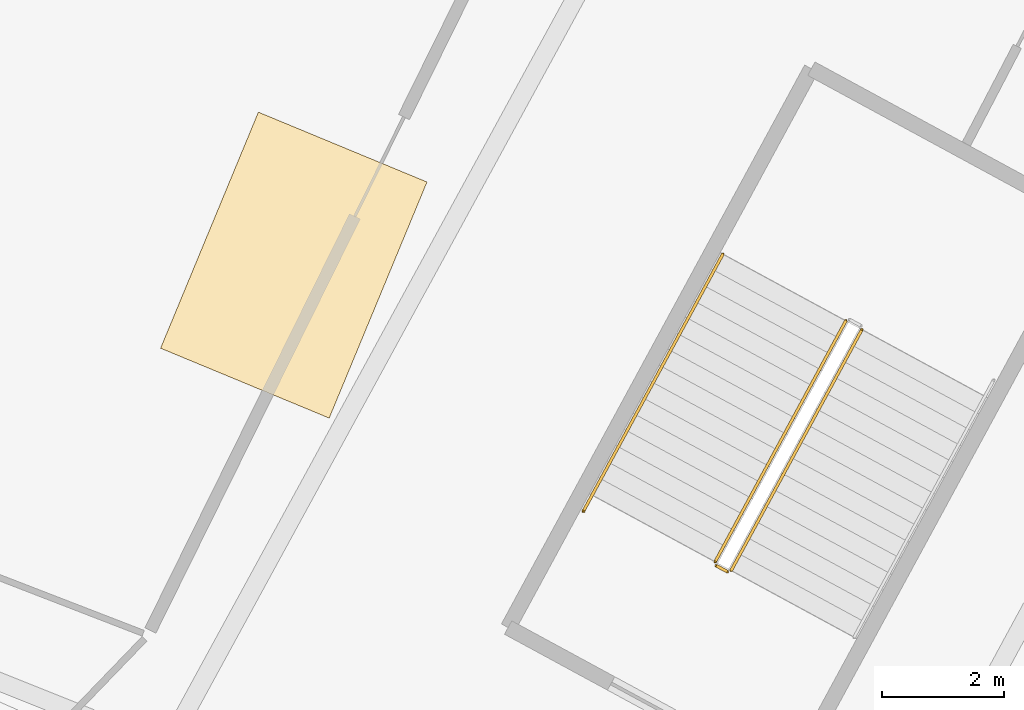
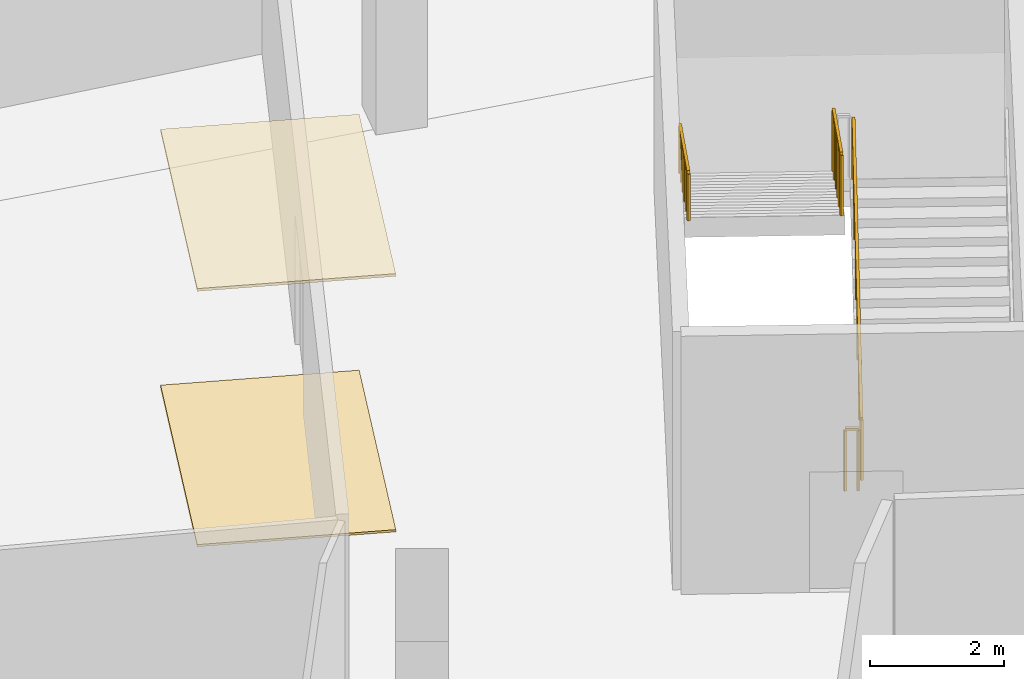
# One storey, part 163 of 179: 4 railings, 2 coverings.
"""IFC4 building model written with IfcOpenShell, lengths in metres."""

from ifc_helpers import new_model, si_unit, direction, frame, origin, origin_2d, place, context, subcontext, project, spatial, polyline, rectangle, outline, extrude, material, layer, layer_set, type_object, element, save


model = new_model("IFC4")

# Units and contexts
model_context = context("Model", 3, precision=1e-05, world=origin(), true_north=direction((0.0, 1.0)))
body_context = subcontext(model_context, "Body", "Model", "MODEL_VIEW")
ifc_project = project(units=[si_unit("LENGTHUNIT", "METRE"), si_unit("AREAUNIT", "SQUARE_METRE"), si_unit("VOLUMEUNIT", "CUBIC_METRE"), si_unit("PLANEANGLEUNIT", "RADIAN"), si_unit("MASSUNIT", "GRAM", prefix="KILO")], contexts=[model_context])

# Site, building, storey
site_placement = place(None, origin())
site = spatial("IfcSite", under=ifc_project, at=site_placement, CompositionType="ELEMENT")
building_placement = place(site_placement, origin())
building = spatial("IfcBuilding", under=site, at=building_placement, Name="Zlatoyarsky Gate Stadium", CompositionType="ELEMENT")
storey_placement = place(building_placement, frame((0.0, 0.0, 10.60009765625)))
storey = spatial("IfcBuildingStorey", under=building, at=storey_placement, Name="L02", CompositionType="ELEMENT", Elevation=10.60009765625)

# Railings
ifc_material_1 = material(Name="Powder-coated steel stair guardrail", Category="steel")
railing_type_1 = type_object("IfcRailingType", Name="PAINTED STEEL STAIR WELL GUARDRAIL 1150", PredefinedType="GUARDRAIL", material=ifc_material_1)
railing_1_placement = place(storey_placement, frame((190.437255859375, 52.175048828125, 0.15625)))
element("IfcRailing", 1, at=railing_1_placement, inside=storey, type_object=railing_type_1, Name="ST-12 L02 stair guard 1", PredefinedType="GUARDRAIL", context=body_context, shape_type="SweptSolid", body=[
    extrude(rectangle(XDim=0.048095703125, YDim=0.048095703125, at=origin_2d()), frame((0.0, 0.0, 1.1259765625), z_axis=(0.422959741779, 0.779564365935, 0.461935554162), x_axis=(-0.878963249763, 0.476889510858, 0.0)), (0.0, 0.0, 1.0), 5.07373046875),
    extrude(rectangle(XDim=0.0419921875, YDim=0.0419921875, at=origin_2d()), origin(), (0.0, 0.0, 1.0), 1.101806640625),
    extrude(rectangle(XDim=0.0419921875, YDim=0.0419921875, at=origin_2d()), frame((0.42919921875, 0.791015625, 0.46875)), (0.0, 0.0, 1.0), 1.101806640625),
    extrude(rectangle(XDim=0.0419921875, YDim=0.0419921875, at=origin_2d()), frame((0.8583984375, 1.58203125, 0.9375)), (0.0, 0.0, 1.0), 1.101806640625),
    extrude(rectangle(XDim=0.0419921875, YDim=0.0419921875, at=origin_2d()), frame((1.28759765625, 2.373291015625, 1.40625)), (0.0, 0.0, 1.0), 1.101806640625),
    extrude(rectangle(XDim=0.0419921875, YDim=0.0419921875, at=origin_2d()), frame((1.716796875, 3.164306640625, 1.875)), (0.0, 0.0, 1.0), 1.101806640625),
    extrude(rectangle(XDim=0.0419921875, YDim=0.0419921875, at=origin_2d()), frame((2.14599609375, 3.955322265625, 2.34375)), (0.0, 0.0, 1.0), 1.101806640625),
])
railing_2_placement = place(storey_placement, frame((192.319580078125, 56.2734375, 2.65625)))
element("IfcRailing", 2, at=railing_2_placement, inside=storey, type_object=railing_type_1, Name="ST-12 L02 stair guard 3", PredefinedType="GUARDRAIL", context=body_context, shape_type="SweptSolid", body=[
    extrude(rectangle(XDim=0.048095703125, YDim=0.048095703125, at=origin_2d()), frame((0.0, 0.0, 1.1259765625), z_axis=(-0.422959741779, -0.779564365935, 0.461935554162), x_axis=(0.878963249763, -0.476889510858, 0.0)), (0.0, 0.0, 1.0), 5.07373046875),
    extrude(rectangle(XDim=0.0419921875, YDim=0.0419921875, at=origin_2d()), origin(), (0.0, 0.0, 1.0), 1.101806640625),
    extrude(rectangle(XDim=0.0419921875, YDim=0.0419921875, at=origin_2d()), frame((-0.42919921875, -0.791015625, 0.46875)), (0.0, 0.0, 1.0), 1.101806640625),
    extrude(rectangle(XDim=0.0419921875, YDim=0.0419921875, at=origin_2d()), frame((-0.8583984375, -1.58203125, 0.9375)), (0.0, 0.0, 1.0), 1.101806640625),
    extrude(rectangle(XDim=0.0419921875, YDim=0.0419921875, at=origin_2d()), frame((-1.28759765625, -2.373291015625, 1.40625)), (0.0, 0.0, 1.0), 1.101806640625),
    extrude(rectangle(XDim=0.0419921875, YDim=0.0419921875, at=origin_2d()), frame((-1.716796875, -3.164306640625, 1.875)), (0.0, 0.0, 1.0), 1.101806640625),
    extrude(rectangle(XDim=0.0419921875, YDim=0.0419921875, at=origin_2d()), frame((-2.14599609375, -3.955322265625, 2.34375)), (0.0, 0.0, 1.0), 1.101806640625),
])
railing_3_placement = place(storey_placement, frame((190.36962890625, 52.15478515625, 0.0)))
element("IfcRailing", 3, at=railing_3_placement, inside=storey, type_object=railing_type_1, Name="ST-12 L02 stair guard 4", PredefinedType="GUARDRAIL", context=body_context, shape_type="SweptSolid", body=[
    extrude(rectangle(XDim=0.048095703125, YDim=0.048095703125, at=origin_2d()), frame((0.0, 0.0, 1.1259765625), z_axis=(-0.878780312785, 0.477226530971, 0.0), x_axis=(-0.477226530971, -0.878780312785, 0.0)), (0.0, 0.0, 1.0), 0.199951171875),
    extrude(rectangle(XDim=0.0419921875, YDim=0.0419921875, at=origin_2d()), origin(), (0.0, 0.0, 1.0), 1.101806640625),
    extrude(rectangle(XDim=0.0419921875, YDim=0.0419921875, at=origin_2d()), frame((-0.17578125, 0.095458984375, 0.0)), (0.0, 0.0, 1.0), 1.101806640625),
])

# Coverings
ifc_material_2 = material(Name="Perforated anodised aluminium acoustic ceiling", Category="aluminium")
ifc_layer_1 = layer(ifc_material_2, 0.050048828125)
ifc_layer_set_1 = layer_set([ifc_layer_1], Name="Perforated anodised aluminium acoustic ceiling")
covering_type_1 = type_object("IfcCoveringType", Name="PERFORATED ACOUSTIC BAFFLE CEILING 50", PredefinedType="CEILING", material=ifc_layer_set_1)
covering_1_placement = place(storey_placement, frame((0.0, 0.0, 4.669921875)))
element("IfcCovering", 4, at=covering_1_placement, inside=storey, type_object=covering_type_1, Name="L02 hospitality acoustic ceiling 08", PredefinedType="CEILING", context=body_context, shape_type="SweptSolid", body=[
    extrude(outline(polyline([(181.0576171875, 55.825927734375), (182.664794921875, 59.706298828125), (185.4365234375, 58.55810546875), (183.8291015625, 54.677734375), (181.0576171875, 55.825927734375)])), origin(), (0.0, 0.0, 1.0), 0.050048828125),
])
ifc_material_3 = material(Name="Polished granite stone flooring", Category="masonry")
ifc_layer_2 = layer(ifc_material_3, 0.0400390625)
ifc_layer_set_2 = layer_set([ifc_layer_2], Name="Polished granite stone flooring")
covering_type_2 = type_object("IfcCoveringType", Name="POLISHED GRANITE CONCOURSE FLOORING 40", PredefinedType="FLOORING", material=ifc_layer_set_2)
covering_2_placement = place(storey_placement, origin())
element("IfcCovering", 5, at=covering_2_placement, inside=storey, type_object=covering_type_2, Name="L02 hospitality concourse granite flooring 08", PredefinedType="FLOORING", context=body_context, shape_type="SweptSolid", body=[
    extrude(outline(polyline([(181.0576171875, 55.825927734375), (182.664794921875, 59.706298828125), (185.4365234375, 58.55810546875), (183.8291015625, 54.677734375), (181.0576171875, 55.825927734375)])), origin(), (0.0, 0.0, 1.0), 0.039794921875),
])

# Railing
ifc_material_4 = material(Name="Brushed stainless steel 316 handrail", Category="steel")
railing_type_2 = type_object("IfcRailingType", Name="STAINLESS STEEL TUBULAR HANDRAIL 900", PredefinedType="HANDRAIL", material=ifc_material_4)
railing_4_placement = place(storey_placement, frame((190.298095703125, 57.3701171875, 2.66015625)))
element("IfcRailing", 6, at=railing_4_placement, inside=storey, type_object=railing_type_2, Name="ST-12 L02 stair handrail 2", PredefinedType="HANDRAIL", context=body_context, shape_type="SweptSolid", body=[
    extrude(rectangle(XDim=0.048095703125, YDim=0.048095703125, at=origin_2d()), frame((0.0, 0.0, 0.8759765625), z_axis=(-0.422960733392, -0.779563186192, 0.461936637151), x_axis=(0.878962478599, -0.4768909322, 0.0)), (0.0, 0.0, 1.0), 5.412109375),
    extrude(rectangle(XDim=0.0419921875, YDim=0.0419921875, at=origin_2d()), origin(), (0.0, 0.0, 1.0), 0.851806640625),
    extrude(rectangle(XDim=0.0419921875, YDim=0.0419921875, at=origin_2d()), frame((-0.457763671875, -0.84375, 0.5)), (0.0, 0.0, 1.0), 0.851806640625),
    extrude(rectangle(XDim=0.0419921875, YDim=0.0419921875, at=origin_2d()), frame((-0.91552734375, -1.6875, 1.0)), (0.0, 0.0, 1.0), 0.851806640625),
    extrude(rectangle(XDim=0.0419921875, YDim=0.0419921875, at=origin_2d()), frame((-1.37353515625, -2.531494140625, 1.5)), (0.0, 0.0, 1.0), 0.851806640625),
    extrude(rectangle(XDim=0.0419921875, YDim=0.0419921875, at=origin_2d()), frame((-1.831298828125, -3.375244140625, 2.0)), (0.0, 0.0, 1.0), 0.851806640625),
    extrude(rectangle(XDim=0.0419921875, YDim=0.0419921875, at=origin_2d()), frame((-2.2890625, -4.218994140625, 2.5)), (0.0, 0.0, 1.0), 0.851806640625),
])

save(model, "model.ifc")
